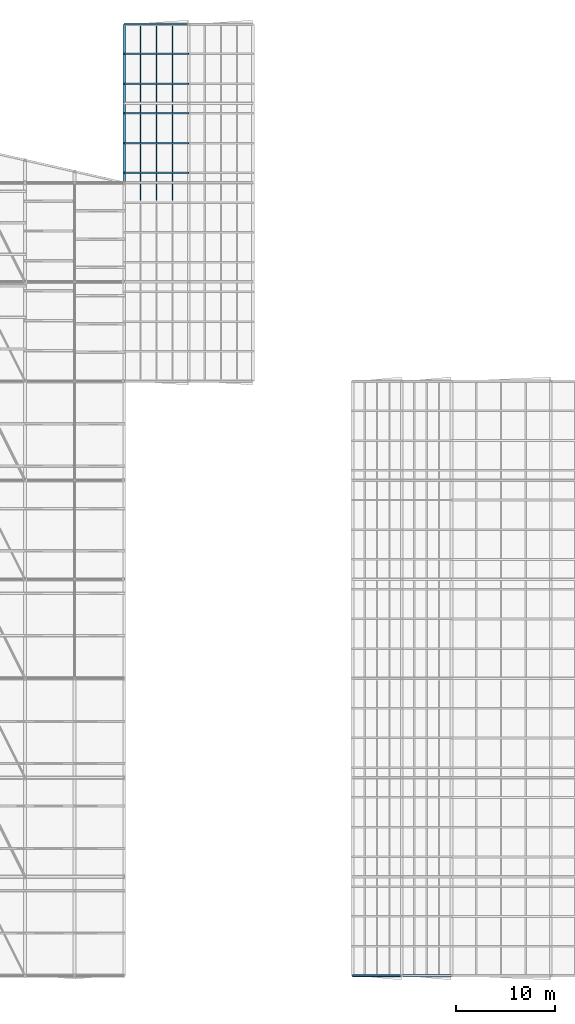
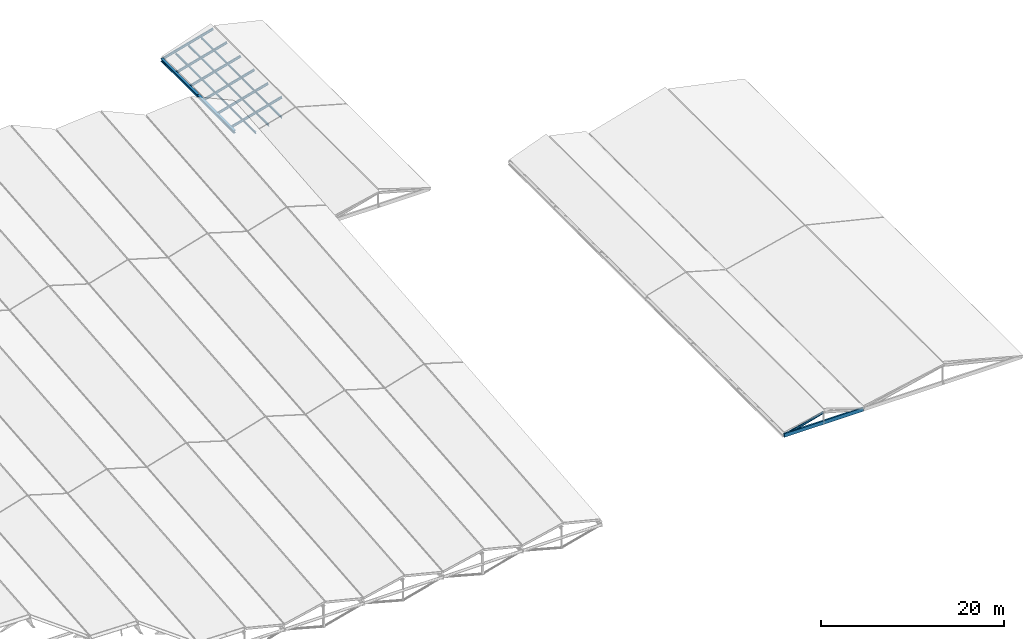
# One storey, part 56 of 90: 10 members, 3 beams.
"""IFC4 building model written with IfcOpenShell, lengths in metres."""

from ifc_helpers import new_model, si_unit, direction, frame, origin, origin_2d, place, context, subcontext, project, spatial, rectangle, i_section, extrude, material, material_profile, profile_set, type_object, element, save


model = new_model("IFC4")

# Units and contexts
model_context = context("Model", 3, precision=1e-05, world=origin(), true_north=direction((0.0, 1.0)))
body_context = subcontext(model_context, "Body", "Model", "MODEL_VIEW")
ifc_project = project(units=[si_unit("LENGTHUNIT", "METRE"), si_unit("AREAUNIT", "SQUARE_METRE"), si_unit("VOLUMEUNIT", "CUBIC_METRE"), si_unit("PLANEANGLEUNIT", "RADIAN"), si_unit("MASSUNIT", "GRAM", prefix="KILO"), si_unit("THERMODYNAMICTEMPERATUREUNIT", "KELVIN"), si_unit("POWERUNIT", "WATT")], contexts=[model_context])

# Site, building, storey
site_placement = place(None, origin())
site = spatial("IfcSite", under=ifc_project, at=site_placement, CompositionType="ELEMENT")
building_placement = place(site_placement, origin())
building = spatial("IfcBuilding", under=site, at=building_placement, Name="Korenveer Ferry Terminal", CompositionType="ELEMENT")
storey_placement = place(building_placement, frame((0.0, 0.0, 22.199951171875)))
storey = spatial("IfcBuildingStorey", under=building, at=storey_placement, Name="RF", CompositionType="ELEMENT", Elevation=22.199951171875)

# Beams
ifc_material_1 = material(Name="Steel S355", Category="steel")
ifc_material_profile_1 = material_profile(ifc_material_1, i_section(OverallWidth=0.300048828125, OverallDepth=0.360107421875, WebThickness=0.012451171875, FlangeThickness=0.0224609375, FilletRadius=0.027099609375, at=origin_2d()), Name="HEB 360")
ifc_profile_set_1 = profile_set([ifc_material_profile_1], Name="Steel S355")
beam_type_1 = type_object("IfcBeamType", Name="STR-BM-HEB360", PredefinedType="BEAM", material=ifc_profile_set_1)
for number, where, z_axis, x_axis, name in (
    (1, (123.0, 100.02001953125, -7.619873046875), (0.0, 1.0, 0.0), (-1.0, 0.0, 0.0), "Wing eave beam PIERE 207"),
    (2, (123.0, 108.02001953125, -7.619873046875), (0.0, 1.0, 0.0), (-1.0, 0.0, 0.0), "Wing eave beam PIERE 208"),
):
    element("IfcBeam", number, at=place(storey_placement, frame(where, z_axis=z_axis, x_axis=x_axis)), inside=storey, type_object=beam_type_1, Name=name, PredefinedType="BEAM", context=body_context, shape_type="SweptSolid", body=[
        extrude(i_section(OverallWidth=0.300048828125, OverallDepth=0.360107421875, WebThickness=0.012451171875, FlangeThickness=0.0224609375, FilletRadius=0.027099609375, at=origin_2d()), origin(), (0.0, 0.0, 1.0), 7.9599609375),
    ])

# Members
ifc_material_profile_2 = material_profile(ifc_material_1, i_section(OverallWidth=0.1201171875, OverallDepth=0.239990234375, WebThickness=0.006103515625, FlangeThickness=0.009765625, FilletRadius=0.014892578125, at=origin_2d()), Name="IPE 240")
ifc_profile_set_2 = profile_set([ifc_material_profile_2], Name="Steel S355")
member_type_1 = type_object("IfcMemberType", Name="STR-PUR-IPE240", PredefinedType="PURLIN", material=ifc_profile_set_2)
for number, where, z_axis, x_axis, name in (
    (3, (124.625, 98.199951171875, -7.22998046875), (0.0, 1.0, 0.0), (-1.0, 0.0, 0.0), "Pitched wing roof steel purlin 314"),
    (4, (126.25, 98.199951171875, -6.780029296875), (0.0, 1.0, 0.0), (-1.0, 0.0, 0.0), "Pitched wing roof steel purlin 316"),
    (5, (127.875, 98.199951171875, -6.329833984375), (0.0, 1.0, 0.0), (-1.0, 0.0, 0.0), "Pitched wing roof steel purlin 318"),
):
    element("IfcMember", number, at=place(storey_placement, frame(where, z_axis=z_axis, x_axis=x_axis)), inside=storey, type_object=member_type_1, Name=name, PredefinedType="PURLIN", context=body_context, shape_type="SweptSolid", body=[
        extrude(i_section(OverallWidth=0.1201171875, OverallDepth=0.239990234375, WebThickness=0.006103515625, FlangeThickness=0.009765625, FilletRadius=0.014892578125, at=origin_2d()), origin(), (0.0, 0.0, 1.0), 17.60009765625),
    ])
ifc_material_profile_3 = material_profile(ifc_material_1, i_section(OverallWidth=0.14990234375, OverallDepth=0.300048828125, WebThickness=0.007080078125, FlangeThickness=0.0107421875, FilletRadius=0.014892578125, at=origin_2d()), Name="IPE 300")
ifc_profile_set_3 = profile_set([ifc_material_profile_3], Name="Steel S355")
member_type_2 = type_object("IfcMemberType", Name="STR-RAF-IPE300", PredefinedType="RAFTER", material=ifc_profile_set_3)
member_placement = place(storey_placement, frame((146.0, 20.0, -7.619873046875), z_axis=(0.962968902935, 0.0, 0.269612484836), x_axis=(0.0, 1.0, 0.0)))
element("IfcMember", 6, at=member_placement, inside=storey, type_object=member_type_2, Name="Pitched roof rafter 43", PredefinedType="RAFTER", context=body_context, shape_type="SweptSolid", body=[
    extrude(i_section(OverallWidth=0.14990234375, OverallDepth=0.300048828125, WebThickness=0.007080078125, FlangeThickness=0.0107421875, FilletRadius=0.014892578125, at=origin_2d()), origin(), (0.0, 0.0, 1.0), 5.1923828125),
])
for number, where, z_axis, x_axis, name in (
    (7, (123.0, 101.0, -7.619873046875), (0.963737469599, 0.0, 0.26685218697), (0.0, 1.0, 0.0), "Pitched roof rafter 169"),
    (8, (123.0, 104.0, -7.619873046875), (0.963737469599, 0.0, 0.26685218697), (0.0, 1.0, 0.0), "Pitched roof rafter 171"),
    (9, (123.0, 107.0, -7.619873046875), (0.963737469599, 0.0, 0.26685218697), (0.0, 1.0, 0.0), "Pitched roof rafter 173"),
    (10, (123.0, 110.0, -7.619873046875), (0.963737469599, 0.0, 0.26685218697), (0.0, 1.0, 0.0), "Pitched roof rafter 175"),
    (11, (123.0, 113.0, -7.619873046875), (0.963737469599, 0.0, 0.26685218697), (0.0, 1.0, 0.0), "Pitched roof rafter 177"),
    (12, (123.0, 116.0, -7.619873046875), (0.963737469599, 0.0, 0.26685218697), (0.0, 1.0, 0.0), "Pitched roof rafter 179"),
):
    element("IfcMember", number, at=place(storey_placement, frame(where, z_axis=z_axis, x_axis=x_axis)), inside=storey, type_object=member_type_2, Name=name, PredefinedType="RAFTER", context=body_context, shape_type="SweptSolid", body=[
        extrude(i_section(OverallWidth=0.14990234375, OverallDepth=0.300048828125, WebThickness=0.007080078125, FlangeThickness=0.0107421875, FilletRadius=0.014892578125, at=origin_2d()), origin(), (0.0, 0.0, 1.0), 6.74462890625),
    ])

# Beam
ifc_material_2 = material(Name="Glulam GL28h", Category="wood")
ifc_material_profile_4 = material_profile(ifc_material_2, rectangle(XDim=0.199951171875, YDim=0.47998046875, at=origin_2d()), Name="GL 200x480")
ifc_profile_set_4 = profile_set([ifc_material_profile_4], Name="Glulam GL28h")
beam_type_2 = type_object("IfcBeamType", Name="STR-RFG-GL200", PredefinedType="USERDEFINED", material=ifc_profile_set_4)
beam_placement = place(storey_placement, frame((146.02001953125, 20.0, -7.56005859375), z_axis=(1.0, 0.0, 0.0), x_axis=(0.0, 1.0, 0.0)))
element("IfcBeam", 13, at=beam_placement, inside=storey, type_object=beam_type_2, Name="Wing roof collar tie EASTC 165", ObjectType="ROOF GIRDER", PredefinedType="USERDEFINED", context=body_context, shape_type="SweptSolid", body=[
    extrude(rectangle(XDim=0.199951171875, YDim=0.47998046875, at=origin_2d()), origin(), (0.0, 0.0, 1.0), 9.9599609375),
])

save(model, "model.ifc")
